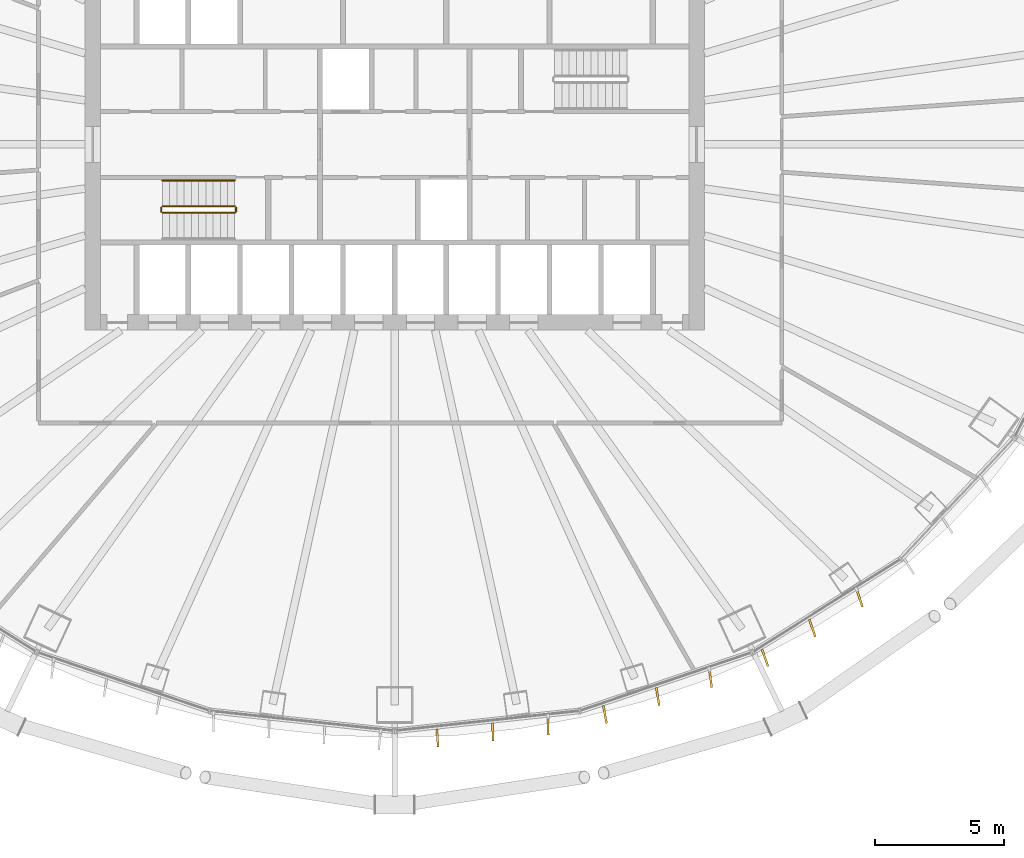
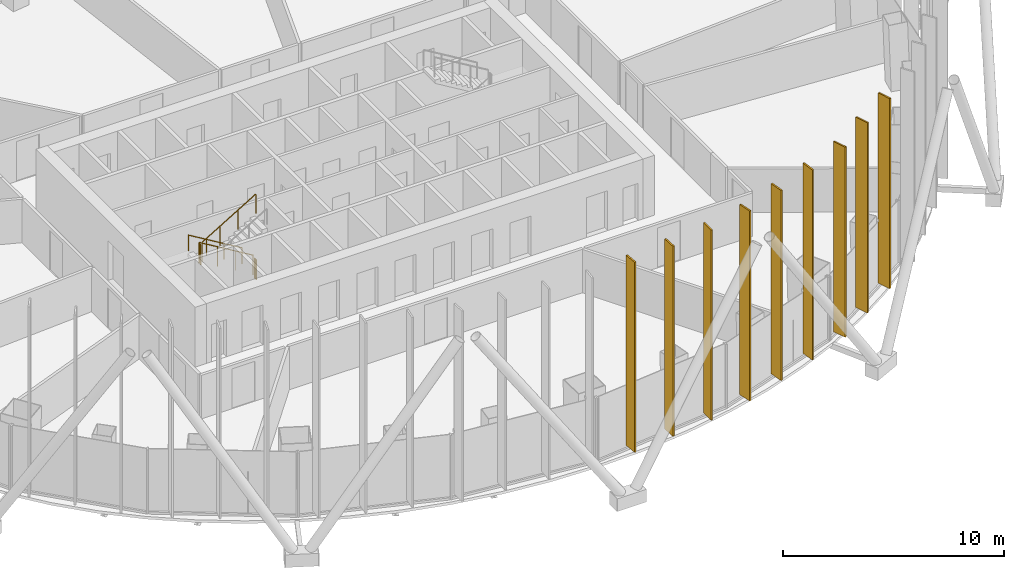
# One storey, part 20 of 22: 9 shading devices, 5 railings.
"""IFC4 building model written with IfcOpenShell, lengths in metres."""

from ifc_helpers import new_model, si_unit, direction, frame, origin, origin_2d, place, context, subcontext, project, spatial, rectangle, circle, extrude, material, layer, layer_set, type_object, element, save


model = new_model("IFC4")

# Units and contexts
model_context = context("Model", 3, precision=1e-05, world=origin(), true_north=direction((0.0, 1.0)))
body_context = subcontext(model_context, "Body", "Model", "MODEL_VIEW")
ifc_project = project(units=[si_unit("LENGTHUNIT", "METRE"), si_unit("AREAUNIT", "SQUARE_METRE"), si_unit("VOLUMEUNIT", "CUBIC_METRE"), si_unit("PLANEANGLEUNIT", "RADIAN"), si_unit("MASSUNIT", "GRAM", prefix="KILO")], contexts=[model_context])

# Site, building, storey
site_placement = place(None, origin())
site = spatial("IfcSite", under=ifc_project, at=site_placement, CompositionType="ELEMENT")
building_placement = place(site_placement, origin())
building = spatial("IfcBuilding", under=site, at=building_placement, Name="Siaravel Broadcast Tower", CompositionType="ELEMENT")
storey_placement = place(building_placement, frame((0.0, 0.0, 48.199951171875)))
storey = spatial("IfcBuildingStorey", under=building, at=storey_placement, Name="L10", CompositionType="ELEMENT", Elevation=48.199951171875)

# Shading devices
ifc_material_1 = material(Name="Bronze anodised aluminium", Category="aluminium")
ifc_layer = layer(ifc_material_1, 0.080078125)
ifc_layer_set = layer_set([ifc_layer], Name="Bronze anodised aluminium")
shading_device_type = type_object("IfcShadingDeviceType", Name="Bronze fin zone 1", PredefinedType="USERDEFINED", material=ifc_layer_set)
for number, where, z_axis, x_axis, name in (
    (1, (1.656494140625, -22.996337890625, 0.300048828125), (0.0, 0.0, 1.0), (0.078709646, -0.996897583, 0.0), "Bronze fin L10-56"),
    (2, (3.801513671875, -22.764404296875, 0.300048828125), (0.0, 0.0, 1.0), (0.040951423, -0.999161139, 0.0), "Bronze fin L10-57"),
    (3, (5.947021484375, -22.531982421875, 0.300048828125), (0.0, 0.0, 1.0), (0.004825817, -0.999988356, 0.0), "Bronze fin L10-58"),
    (4, (8.14697265625, -22.0908203125, 0.300048828125), (0.0, 0.0, 1.0), (0.189775793, -0.981827454, 0.0), "Bronze fin L10-59"),
    (5, (10.19189453125, -21.395263671875, 0.300048828125), (0.0, 0.0, 1.0), (0.159455622, -0.987205098, 0.0), "Bronze fin L10-60"),
    (6, (12.23828125, -20.69921875, 0.300048828125), (0.0, 0.0, 1.0), (0.133213017, -0.991087429, 0.0), "Bronze fin L10-61"),
    (7, (14.34912109375, -19.895751953125, 0.300048828125), (0.0, 0.0, 1.0), (0.33933231, -0.940666563, 0.0), "Bronze fin L10-62"),
    (8, (16.181396484375, -18.742431640625, 0.300048828125), (0.0, 0.0, 1.0), (0.323895952, -0.946092708, 0.0), "Bronze fin L10-63"),
    (9, (18.015869140625, -17.588623046875, 0.300048828125), (0.0, 0.0, 1.0), (0.314482904, -0.949263137, 0.0), "Bronze fin L10-64"),
):
    element("IfcShadingDevice", number, at=place(storey_placement, frame(where, z_axis=z_axis, x_axis=x_axis)), inside=storey, type_object=shading_device_type, Name=name, ObjectType="FIN", PredefinedType="USERDEFINED", context=body_context, shape_type="SweptSolid", body=[
        extrude(rectangle(XDim=0.699951171875, YDim=0.080078125, at=origin_2d()), origin(), (0.0, 0.0, 1.0), 10.5),
    ])

# Railings
ifc_material_2 = material(Name="Stainless steel 316L", Category="steel")
railing_type_1 = type_object("IfcRailingType", Name="Stair guard 1100", PredefinedType="GUARDRAIL", material=ifc_material_2)
railing_1_placement = place(storey_placement, frame((-6.199951171875, -2.39990234375, 0.168212890625)))
element("IfcRailing", 10, at=railing_1_placement, inside=storey, type_object=railing_type_1, Name="L10 ST-1 stair guard 1", PredefinedType="GUARDRAIL", context=body_context, shape_type="SweptSolid", body=[
    extrude(circle(Radius=0.02392578125, at=origin_2d()), frame((0.0, 0.0, 1.076171875), z_axis=(-0.857242211, 0.0, 0.514913383), x_axis=(0.0, -1.0, 0.0)), (0.0, 0.0, 1.0), 3.266357421875),
    extrude(circle(Radius=0.02099609375, at=origin_2d()), origin(), (0.0, 0.0, 1.0), 1.052001953125),
    extrude(circle(Radius=0.02099609375, at=origin_2d()), frame((-0.933349609375, 0.0, 0.560546875)), (0.0, 0.0, 1.0), 1.052001953125),
    extrude(circle(Radius=0.02099609375, at=origin_2d()), frame((-1.86669921875, 0.0, 1.121337890625)), (0.0, 0.0, 1.0), 1.052001953125),
    extrude(circle(Radius=0.02099609375, at=origin_2d()), frame((-2.800048828125, 0.0, 1.681884765625)), (0.0, 0.0, 1.0), 1.052001953125),
])
railing_2_placement = place(storey_placement, frame((-9.050048828125, -2.449951171875, 1.85009765625)))
element("IfcRailing", 11, at=railing_2_placement, inside=storey, type_object=railing_type_1, Name="L10 ST-1 stair guard 2", PredefinedType="GUARDRAIL", context=body_context, shape_type="SweptSolid", body=[
    extrude(circle(Radius=0.02392578125, at=origin_2d()), frame((0.0, 0.0, 1.076171875), z_axis=(0.0, -1.0, 0.0), x_axis=(1.0, 0.0, 0.0)), (0.0, 0.0, 1.0), 0.150146484375),
    extrude(circle(Radius=0.02099609375, at=origin_2d()), origin(), (0.0, 0.0, 1.0), 1.052001953125),
    extrude(circle(Radius=0.02099609375, at=origin_2d()), frame((0.0, -0.150146484375, 0.0)), (0.0, 0.0, 1.0), 1.052001953125),
])
railing_3_placement = place(storey_placement, frame((-9.0, -2.64990234375, 2.018310546875)))
element("IfcRailing", 12, at=railing_3_placement, inside=storey, type_object=railing_type_1, Name="L10 ST-1 stair guard 3", PredefinedType="GUARDRAIL", context=body_context, shape_type="SweptSolid", body=[
    extrude(circle(Radius=0.02392578125, at=origin_2d()), frame((0.0, 0.0, 1.076171875), z_axis=(0.857275203, 0.0, 0.514858453), x_axis=(0.0, 1.0, 0.0)), (0.0, 0.0, 1.0), 3.26611328125),
    extrude(circle(Radius=0.02099609375, at=origin_2d()), origin(), (0.0, 0.0, 1.0), 1.052001953125),
    extrude(circle(Radius=0.02099609375, at=origin_2d()), frame((0.933349609375, 0.0, 0.560546875)), (0.0, 0.0, 1.0), 1.052001953125),
    extrude(circle(Radius=0.02099609375, at=origin_2d()), frame((1.86669921875, 0.0, 1.12109375)), (0.0, 0.0, 1.0), 1.052001953125),
    extrude(circle(Radius=0.02099609375, at=origin_2d()), frame((2.800048828125, 0.0, 1.681640625)), (0.0, 0.0, 1.0), 1.052001953125),
])
railing_4_placement = place(storey_placement, frame((-6.14990234375, -2.449951171875, 0.0)))
element("IfcRailing", 13, at=railing_4_placement, inside=storey, type_object=railing_type_1, Name="L10 ST-1 stair guard 4", PredefinedType="GUARDRAIL", context=body_context, shape_type="SweptSolid", body=[
    extrude(circle(Radius=0.02392578125, at=origin_2d()), frame((0.0, 0.0, 1.076171875), z_axis=(0.0, -1.0, 0.0), x_axis=(1.0, 0.0, 0.0)), (0.0, 0.0, 1.0), 0.150146484375),
    extrude(circle(Radius=0.02099609375, at=origin_2d()), origin(), (0.0, 0.0, 1.0), 1.052001953125),
    extrude(circle(Radius=0.02099609375, at=origin_2d()), frame((0.0, -0.150146484375, 0.0)), (0.0, 0.0, 1.0), 1.052001953125),
])
railing_type_2 = type_object("IfcRailingType", Name="Stair handrail 900", PredefinedType="HANDRAIL", material=ifc_material_2)
railing_5_placement = place(storey_placement, frame((-6.199951171875, -1.39990234375, 0.168212890625)))
element("IfcRailing", 14, at=railing_5_placement, inside=storey, type_object=railing_type_2, Name="L10 ST-1 stair handrail 1", PredefinedType="HANDRAIL", context=body_context, shape_type="SweptSolid", body=[
    extrude(circle(Radius=0.02392578125, at=origin_2d()), frame((0.0, 0.0, 0.8759765625), z_axis=(-0.857242211, 0.0, 0.514913383), x_axis=(0.0, -1.0, 0.0)), (0.0, 0.0, 1.0), 3.266357421875),
    extrude(circle(Radius=0.02099609375, at=origin_2d()), origin(), (0.0, 0.0, 1.0), 0.851806640625),
    extrude(circle(Radius=0.02099609375, at=origin_2d()), frame((-0.933349609375, 0.0, 0.560546875)), (0.0, 0.0, 1.0), 0.851806640625),
    extrude(circle(Radius=0.02099609375, at=origin_2d()), frame((-1.86669921875, 0.0, 1.121337890625)), (0.0, 0.0, 1.0), 0.851806640625),
    extrude(circle(Radius=0.02099609375, at=origin_2d()), frame((-2.800048828125, 0.0, 1.681884765625)), (0.0, 0.0, 1.0), 0.851806640625),
])

save(model, "model.ifc")
